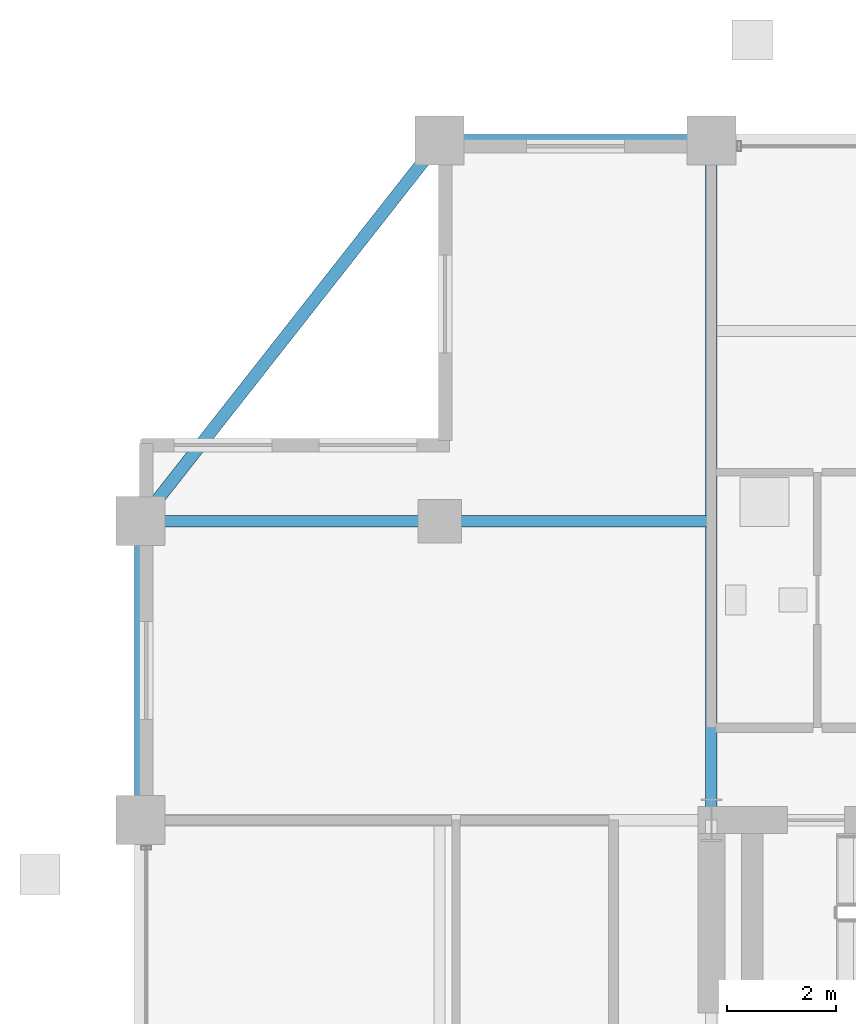
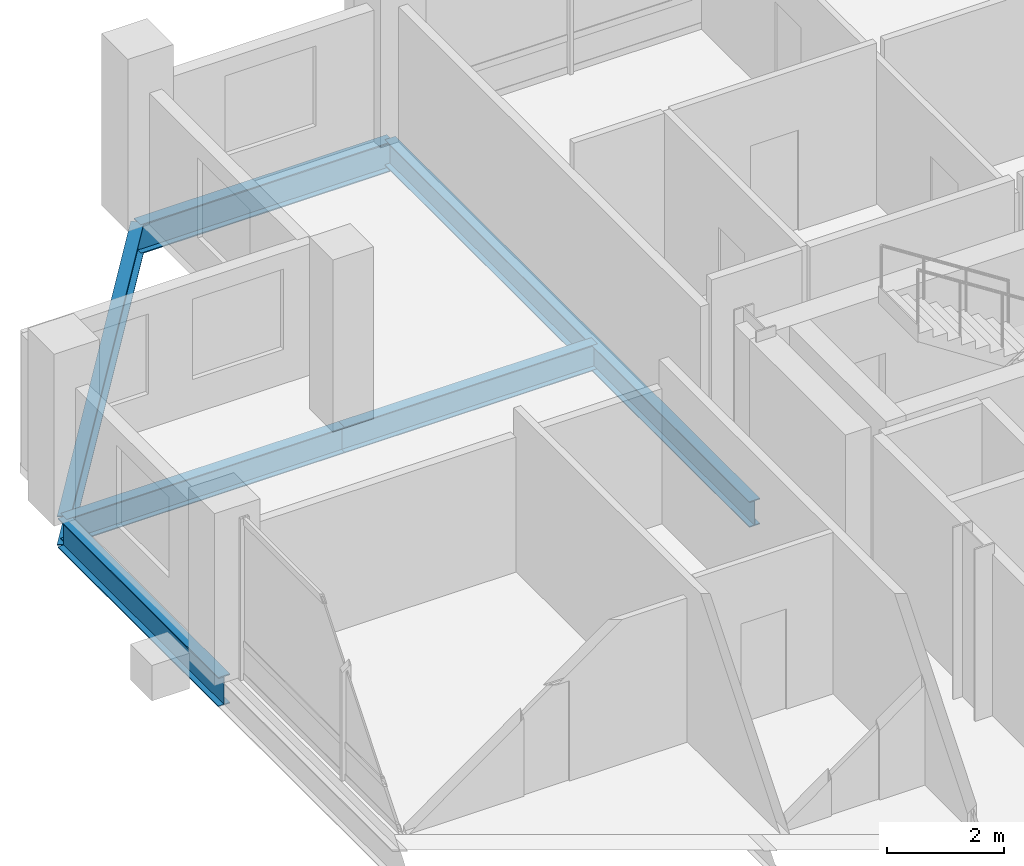
# One storey, part 11 of 21: 6 beams.
"""IFC4 building model written with IfcOpenShell, lengths in metres."""

from ifc_helpers import new_model, si_unit, direction, frame, origin, origin_2d, place, context, subcontext, project, spatial, i_section, extrude, material, material_profile, profile_set, type_object, element, save


model = new_model("IFC4")

# Units and contexts
model_context = context("Model", 3, precision=1e-05, world=origin(), true_north=direction((0.0, 1.0)))
body_context = subcontext(model_context, "Body", "Model", "MODEL_VIEW")
ifc_project = project(units=[si_unit("LENGTHUNIT", "METRE"), si_unit("AREAUNIT", "SQUARE_METRE"), si_unit("VOLUMEUNIT", "CUBIC_METRE"), si_unit("PLANEANGLEUNIT", "RADIAN"), si_unit("MASSUNIT", "GRAM", prefix="KILO")], contexts=[model_context])

# Site, building, storey
site_placement = place(None, origin())
site = spatial("IfcSite", under=ifc_project, at=site_placement, CompositionType="ELEMENT")
building_placement = place(site_placement, origin())
building = spatial("IfcBuilding", under=site, at=building_placement, Name="Barlavira Tower and Art Museum", CompositionType="ELEMENT")
storey_placement = place(building_placement, frame((0.0, 0.0, 222.300048828125)))
storey = spatial("IfcBuildingStorey", under=building, at=storey_placement, Name="L57", CompositionType="ELEMENT", Elevation=222.300048828125)

# Beams
ifc_material = material(Name="Steel S355", Category="steel")
ifc_material_profile_1 = material_profile(ifc_material, i_section(OverallWidth=0.22998046875, OverallDepth=0.616943359375, WebThickness=0.01318359375, FlangeThickness=0.022216796875, at=origin_2d()), Name="W610x140.0")
ifc_profile_set_1 = profile_set([ifc_material_profile_1], Name="Steel S355")
beam_type_1 = type_object("IfcBeamType", Name="Upper Shaft Spandrel Edge Beam W610x140 Steel S355", PredefinedType="SPANDREL", material=ifc_profile_set_1)
beam_1_placement = place(storey_placement, frame((-11.5, 20.0, -0.528564453125), z_axis=(1.0, 0.0, 0.0), x_axis=(0.0, 1.0, 0.0)))
element("IfcBeam", 1, at=beam_1_placement, inside=storey, type_object=beam_type_1, Name="L57 Spandrel 11", PredefinedType="SPANDREL", context=body_context, shape_type="SweptSolid", body=[
    extrude(i_section(OverallWidth=0.22998046875, OverallDepth=0.616943359375, WebThickness=0.01318359375, FlangeThickness=0.022216796875, at=origin_2d()), origin(), (0.0, 0.0, 1.0), 5.0),
])
beam_2_placement = place(storey_placement, frame((-11.5, 20.0, -0.528564453125), z_axis=(-0.617821551932, -0.786318338822, 0.0), x_axis=(0.786318338822, -0.617821551932, 0.0)))
element("IfcBeam", 2, at=beam_2_placement, inside=storey, type_object=beam_type_1, Name="L57 Spandrel 12", PredefinedType="SPANDREL", context=body_context, shape_type="SweptSolid", body=[
    extrude(i_section(OverallWidth=0.22998046875, OverallDepth=0.616943359375, WebThickness=0.01318359375, FlangeThickness=0.022216796875, at=origin_2d()), origin(), (0.0, 0.0, 1.0), 8.90234375),
])
beam_3_placement = place(storey_placement, frame((-17.0, 7.5, -0.528564453125), z_axis=(0.0, 1.0, 0.0), x_axis=(-1.0, 0.0, 0.0)))
element("IfcBeam", 3, at=beam_3_placement, inside=storey, type_object=beam_type_1, Name="L57 Spandrel 13", PredefinedType="SPANDREL", context=body_context, shape_type="SweptSolid", body=[
    extrude(i_section(OverallWidth=0.22998046875, OverallDepth=0.616943359375, WebThickness=0.01318359375, FlangeThickness=0.022216796875, at=origin_2d()), origin(), (0.0, 0.0, 1.0), 5.5),
])
ifc_material_profile_2 = material_profile(ifc_material, i_section(OverallWidth=0.2109375, OverallDepth=0.5390625, WebThickness=0.01171875, FlangeThickness=0.018798828125, at=origin_2d()), Name="W530x109.0")
ifc_profile_set_2 = profile_set([ifc_material_profile_2], Name="Steel S355")
beam_type_2 = type_object("IfcBeamType", Name="Zone 3-4 Primary Floor Girder W530x109 Steel S355", PredefinedType="BEAM", material=ifc_profile_set_2)
beam_4_placement = place(storey_placement, frame((-6.5, 7.5, -0.489501953125), z_axis=(0.0, 1.0, 0.0), x_axis=(-1.0, 0.0, 0.0)))
element("IfcBeam", 4, at=beam_4_placement, inside=storey, type_object=beam_type_2, Name="L57 Girder R-N1", PredefinedType="BEAM", context=body_context, shape_type="SweptSolid", body=[
    extrude(i_section(OverallWidth=0.2109375, OverallDepth=0.5390625, WebThickness=0.01171875, FlangeThickness=0.018798828125, at=origin_2d()), origin(), (0.0, 0.0, 1.0), 12.5),
])
beam_5_placement = place(storey_placement, frame((-17.0, 13.0, -0.489501953125), z_axis=(1.0, 0.0, 0.0), x_axis=(0.0, 1.0, 0.0)))
element("IfcBeam", 5, at=beam_5_placement, inside=storey, type_object=beam_type_2, Name="L57 Girder I-N1", PredefinedType="BEAM", context=body_context, shape_type="SweptSolid", body=[
    extrude(i_section(OverallWidth=0.2109375, OverallDepth=0.5390625, WebThickness=0.01171875, FlangeThickness=0.018798828125, at=origin_2d()), origin(), (0.0, 0.0, 1.0), 5.5),
])
beam_6_placement = place(storey_placement, frame((-11.5, 13.0, -0.489501953125), z_axis=(1.0, 0.0, 0.0), x_axis=(0.0, 1.0, 0.0)))
element("IfcBeam", 6, at=beam_6_placement, inside=storey, type_object=beam_type_2, Name="L57 Girder I-N2", PredefinedType="BEAM", context=body_context, shape_type="SweptSolid", body=[
    extrude(i_section(OverallWidth=0.2109375, OverallDepth=0.5390625, WebThickness=0.01171875, FlangeThickness=0.018798828125, at=origin_2d()), origin(), (0.0, 0.0, 1.0), 5.0),
])

save(model, "model.ifc")
